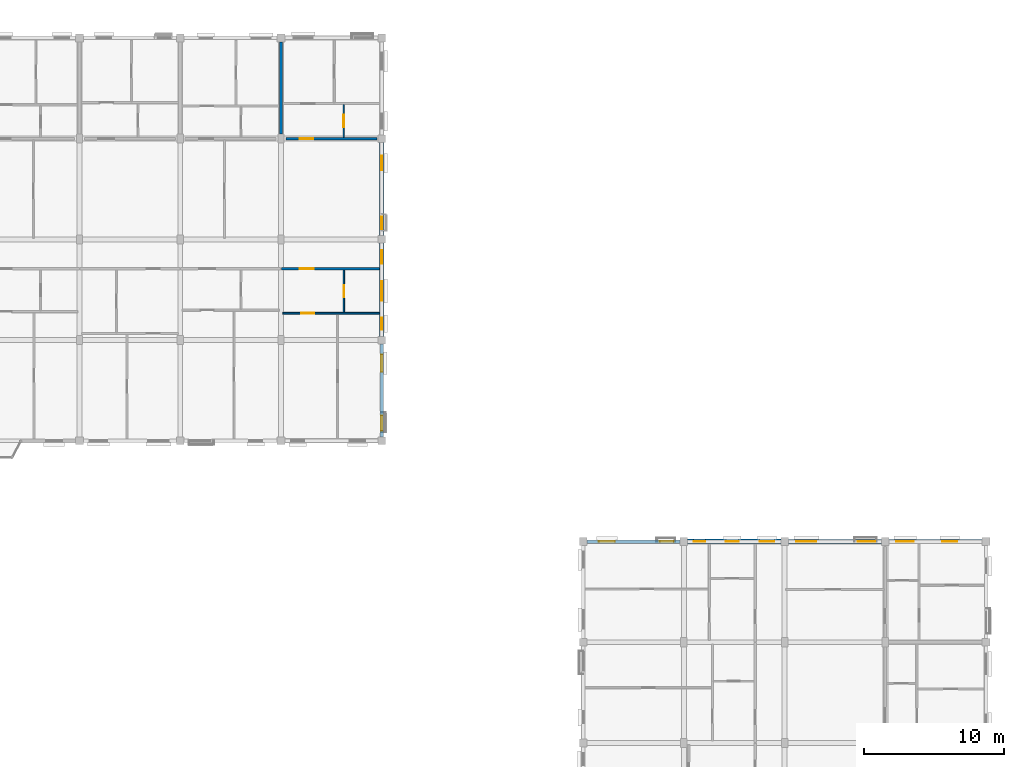
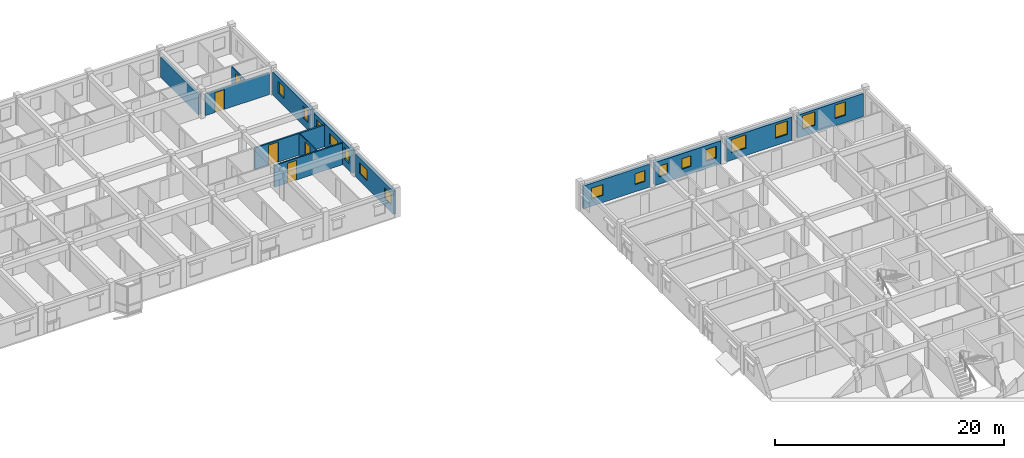
# One storey, part 66 of 75: 16 windows, 13 walls, 5 doors, 21 openings.
"""IFC4 building model written with IfcOpenShell, lengths in metres."""

from ifc_helpers import new_model, si_unit, direction, frame, frame_2d, origin, place, context, subcontext, project, spatial, rectangle, extrude, material, layer, layer_set, type_object, element, fill, save


model = new_model("IFC4")

# Units and contexts
model_context = context("Model", 3, precision=1e-05, world=origin(), true_north=direction((0.0, 1.0)))
body_context = subcontext(model_context, "Body", "Model", "MODEL_VIEW")
ifc_project = project(units=[si_unit("LENGTHUNIT", "METRE"), si_unit("AREAUNIT", "SQUARE_METRE"), si_unit("VOLUMEUNIT", "CUBIC_METRE"), si_unit("PLANEANGLEUNIT", "RADIAN"), si_unit("MASSUNIT", "GRAM", prefix="KILO"), si_unit("THERMODYNAMICTEMPERATUREUNIT", "KELVIN"), si_unit("POWERUNIT", "WATT")], contexts=[model_context])

# Site, building, storey
site_placement = place(None, origin())
site = spatial("IfcSite", under=ifc_project, at=site_placement, CompositionType="ELEMENT")
building_placement = place(site_placement, origin())
building = spatial("IfcBuilding", under=site, at=building_placement, Name="Tavuni Mirador Residences", CompositionType="ELEMENT")
storey_placement = place(building_placement, frame((0.0, 0.0, 20.25)))
storey = spatial("IfcBuildingStorey", under=building, at=storey_placement, Name="L06", CompositionType="ELEMENT", Elevation=20.25)

# Wall, opening, door
ifc_material_1 = material(Name="Precast concrete C40/50", Category="concrete")
ifc_layer_1 = layer(ifc_material_1, 0.1650390625, Name="Precast concrete C40/50", Category="concrete")
ifc_layer_set_1 = layer_set([ifc_layer_1], Name="Precast concrete C40/50")
wall_type_1 = type_object("IfcWallType", Name="WT-CORR165", PredefinedType="PARTITIONING", material=ifc_layer_set_1)
wall_1_placement = place(storey_placement, frame((68.419921875, 156.300048828125, 0.0), z_axis=(0.0, 0.0, 1.0), x_axis=(1.0, 0.0, 0.0)))
wall_1 = element("IfcWall", 1, at=wall_1_placement, inside=storey, type_object=wall_type_1, Name="CORW-BLK-C-L06-0-08", PredefinedType="PARTITIONING", context=body_context, shape_type="SweptSolid", body=[
    extrude(rectangle(XDim=7.005126953125, YDim=0.1650390625, at=frame_2d((3.50244140625, 0.0))), origin(), (0.0, 0.0, 1.0), 2.320068359375),
])
opening_1_placement = place(wall_1_placement, frame((1.330078125, 0.0, 0.0)))
opening_1 = element("IfcOpeningElement", 2, at=opening_1_placement, cuts=wall_1, Name="Opening D-03", PredefinedType="OPENING", context=body_context, shape_type="SweptSolid", body=[
    extrude(rectangle(XDim=1.0, YDim=2.14990234375, at=frame_2d((0.5, 1.074951171875))), frame((0.0, 0.092529296875, 0.0), z_axis=(0.0, -1.0, 0.0), x_axis=(1.0, 0.0, 0.0)), (0.0, 0.0, 1.0), 0.18505859375),
])
ifc_material_2 = material(Name="Solid core iroko timber", Category="wood")
door_type_1 = type_object("IfcDoorType", Name="DT-FD60-1000", OperationType="NOTDEFINED", PredefinedType="DOOR", material=ifc_material_2)
door_1_placement = place(opening_1_placement, origin())
door_1 = element("IfcDoor", 3, at=door_1_placement, inside=storey, type_object=door_type_1, Name="DR-2715", OperationType="SINGLE_SWING_RIGHT", OverallHeight=2.14990234375, OverallWidth=1.0, PredefinedType="DOOR", context=body_context, shape_type="SweptSolid", body=[
    extrude(rectangle(XDim=1.0, YDim=2.14990234375, at=frame_2d((0.5, 1.074951171875))), frame((0.0, 0.02490234375, 0.0), z_axis=(0.0, -1.0, 0.0), x_axis=(1.0, 0.0, 0.0)), (0.0, 0.0, 1.0), 0.050048828125),
])
fill(opening_1, door_1)

wall_2_placement = place(storey_placement, frame((68.75, 165.60009765625, 0.0), z_axis=(0.0, 0.0, 1.0), x_axis=(1.0, 0.0, 0.0)))
wall_2 = element("IfcWall", 4, at=wall_2_placement, inside=storey, type_object=wall_type_1, Name="CORW-BLK-C-L06-1-08", PredefinedType="PARTITIONING", context=body_context, shape_type="SweptSolid", body=[
    extrude(rectangle(XDim=6.5, YDim=0.1650390625, at=frame_2d((3.25, 0.0))), origin(), (0.0, 0.0, 1.0), 2.320068359375),
])
opening_2_placement = place(wall_2_placement, frame((1.0, 0.0, 0.0)))
opening_2 = element("IfcOpeningElement", 5, at=opening_2_placement, cuts=wall_2, Name="Opening D-19", PredefinedType="OPENING", context=body_context, shape_type="SweptSolid", body=[
    extrude(rectangle(XDim=0.93994140625, YDim=2.1201171875, at=frame_2d((0.469970703125, 1.06005859375))), frame((0.0, 0.092529296875, 0.0), z_axis=(0.0, -1.0, 0.0), x_axis=(1.0, 0.0, 0.0)), (0.0, 0.0, 1.0), 0.18505859375),
])
door_type_2 = type_object("IfcDoorType", Name="DT-FD60-940", OperationType="NOTDEFINED", PredefinedType="DOOR", material=ifc_material_2)
door_2_placement = place(opening_2_placement, origin())
door_2 = element("IfcDoor", 6, at=door_2_placement, inside=storey, type_object=door_type_2, Name="DR-2722", OperationType="SINGLE_SWING_LEFT", OverallHeight=2.1201171875, OverallWidth=0.93994140625, PredefinedType="DOOR", context=body_context, shape_type="SweptSolid", body=[
    extrude(rectangle(XDim=0.93994140625, YDim=2.1201171875, at=frame_2d((0.469970703125, 1.06005859375))), frame((0.0, 0.02490234375, 0.0), z_axis=(0.0, -1.0, 0.0), x_axis=(1.0, 0.0, 0.0)), (0.0, 0.0, 1.0), 0.050048828125),
])
fill(opening_2, door_2)

# Wall, openings, windows
ifc_layer_2 = layer(ifc_material_1, 0.330078125, Name="Precast concrete C40/50", Category="concrete")
ifc_layer_set_2 = layer_set([ifc_layer_2], Name="Precast concrete C40/50")
wall_type_2 = type_object("IfcWallType", Name="WT-EXT-COR330", PredefinedType="SOLIDWALL", material=ifc_layer_set_2)
wall_3_placement = place(storey_placement, frame((75.60009765625, 151.47509765625, 0.0), z_axis=(0.0, 0.0, 1.0), x_axis=(0.0, 1.0, 0.0)))
wall_3 = element("IfcWall", 7, at=wall_3_placement, inside=storey, type_object=wall_type_2, Name="EW-BLK-C-L06-E01", PredefinedType="SOLIDWALL", context=body_context, shape_type="SweptSolid", body=[
    extrude(rectangle(XDim=6.64990234375, YDim=0.330078125, at=frame_2d((3.324951171875, 0.0))), origin(), (0.0, 0.0, 1.0), 2.455078125),
])
opening_3_placement = place(wall_3_placement, frame((0.452392578125, 0.0, 0.780029296875)))
opening_3 = element("IfcOpeningElement", 8, at=opening_3_placement, cuts=wall_3, Name="Opening WN-09", PredefinedType="OPENING", context=body_context, shape_type="SweptSolid", body=[
    extrude(rectangle(XDim=0.8798828125, YDim=1.260009765625, at=frame_2d((0.43994140625, 0.6298828125))), frame((0.0, 0.175048828125, 0.0), z_axis=(0.0, -1.0, 0.0), x_axis=(1.0, 0.0, 0.0)), (0.0, 0.0, 1.0), 0.35009765625),
])
opening_4_placement = place(wall_3_placement, frame((2.534912109375, 0.0, 0.780029296875)))
opening_4 = element("IfcOpeningElement", 9, at=opening_4_placement, cuts=wall_3, Name="Opening WN-08", PredefinedType="OPENING", context=body_context, shape_type="SweptSolid", body=[
    extrude(rectangle(XDim=1.39990234375, YDim=1.14990234375, at=frame_2d((0.699951171875, 0.574951171875))), frame((0.0, 0.175048828125, 0.0), z_axis=(0.0, -1.0, 0.0), x_axis=(1.0, 0.0, 0.0)), (0.0, 0.0, 1.0), 0.35009765625),
])
opening_5_placement = place(wall_3_placement, frame((5.1875, 0.0, 0.780029296875)))
opening_5 = element("IfcOpeningElement", 10, at=opening_5_placement, cuts=wall_3, Name="Opening WN-10", PredefinedType="OPENING", context=body_context, shape_type="SweptSolid", body=[
    extrude(rectangle(XDim=0.9599609375, YDim=1.260009765625, at=frame_2d((0.47998046875, 0.6298828125))), frame((0.0, 0.175048828125, 0.0), z_axis=(0.0, -1.0, 0.0), x_axis=(1.0, 0.0, 0.0)), (0.0, 0.0, 1.0), 0.35009765625),
])
ifc_material_3 = material(Name="Laminated solar-control glass", Category="glass")
window_type_1 = type_object("IfcWindowType", Name="WNT-08", PartitioningType="SINGLE_PANEL", PredefinedType="WINDOW", material=ifc_material_3)
window_1_placement = place(opening_4_placement, origin())
window_1 = element("IfcWindow", 11, at=window_1_placement, inside=storey, type_object=window_type_1, Name="WIN-1110", OverallHeight=1.14990234375, OverallWidth=1.39990234375, PartitioningType="SINGLE_PANEL", PredefinedType="WINDOW", context=body_context, shape_type="SweptSolid", body=[
    extrude(rectangle(XDim=1.39990234375, YDim=1.14990234375, at=frame_2d((0.699951171875, 0.574951171875))), frame((0.0, 0.030029296875, 0.0), z_axis=(0.0, -1.0, 0.0), x_axis=(1.0, 0.0, 0.0)), (0.0, 0.0, 1.0), 0.06005859375),
])
fill(opening_4, window_1)
window_type_2 = type_object("IfcWindowType", Name="WNT-09", PartitioningType="SINGLE_PANEL", PredefinedType="WINDOW", material=ifc_material_3)
window_2_placement = place(opening_3_placement, origin())
window_2 = element("IfcWindow", 12, at=window_2_placement, inside=storey, type_object=window_type_2, Name="WIN-1109", OverallHeight=1.260009765625, OverallWidth=0.8798828125, PartitioningType="SINGLE_PANEL", PredefinedType="WINDOW", context=body_context, shape_type="SweptSolid", body=[
    extrude(rectangle(XDim=0.8798828125, YDim=1.260009765625, at=frame_2d((0.43994140625, 0.6298828125))), frame((0.0, 0.030029296875, 0.0), z_axis=(0.0, -1.0, 0.0), x_axis=(1.0, 0.0, 0.0)), (0.0, 0.0, 1.0), 0.06005859375),
])
fill(opening_3, window_2)
window_type_3 = type_object("IfcWindowType", Name="WNT-10", PartitioningType="SINGLE_PANEL", PredefinedType="WINDOW", material=ifc_material_3)
window_3_placement = place(opening_5_placement, origin())
window_3 = element("IfcWindow", 13, at=window_3_placement, inside=storey, type_object=window_type_3, Name="WIN-1111", OverallHeight=1.260009765625, OverallWidth=0.9599609375, PartitioningType="SINGLE_PANEL", PredefinedType="WINDOW", context=body_context, shape_type="SweptSolid", body=[
    extrude(rectangle(XDim=0.9599609375, YDim=1.260009765625, at=frame_2d((0.47998046875, 0.6298828125))), frame((0.0, 0.030029296875, 0.0), z_axis=(0.0, -1.0, 0.0), x_axis=(1.0, 0.0, 0.0)), (0.0, 0.0, 1.0), 0.06005859375),
])
fill(opening_5, window_3)

wall_4_placement = place(storey_placement, frame((104.125, 136.800048828125, 0.0), z_axis=(0.0, 0.0, 1.0), x_axis=(-1.0, 0.0, 0.0)))
wall_4 = element("IfcWall", 14, at=wall_4_placement, inside=storey, type_object=wall_type_2, Name="EW-BLK-D-L06-N01", PredefinedType="SOLIDWALL", context=body_context, shape_type="SweptSolid", body=[
    extrude(rectangle(XDim=6.64990234375, YDim=0.330078125, at=frame_2d((3.324951171875, 0.0))), origin(), (0.0, 0.0, 1.0), 2.4599609375),
])
opening_6_placement = place(wall_4_placement, frame((0.46240234375, 0.0, 0.780029296875)))
opening_6 = element("IfcOpeningElement", 15, at=opening_6_placement, cuts=wall_4, Name="Opening WN-11", PredefinedType="OPENING", context=body_context, shape_type="SweptSolid", body=[
    extrude(rectangle(XDim=1.0400390625, YDim=1.260009765625, at=frame_2d((0.52001953125, 0.6298828125))), frame((0.0, 0.175048828125, 0.0), z_axis=(0.0, -1.0, 0.0), x_axis=(1.0, 0.0, 0.0)), (0.0, 0.0, 1.0), 0.35009765625),
])
opening_7_placement = place(wall_4_placement, frame((3.0048828125, 0.0, 0.780029296875)))
opening_7 = element("IfcOpeningElement", 16, at=opening_7_placement, cuts=wall_4, Name="Opening WN-02", PredefinedType="OPENING", context=body_context, shape_type="SweptSolid", body=[
    extrude(rectangle(XDim=0.919921875, YDim=1.14990234375, at=frame_2d((0.4599609375, 0.574951171875))), frame((0.0, 0.175048828125, 0.0), z_axis=(0.0, -1.0, 0.0), x_axis=(1.0, 0.0, 0.0)), (0.0, 0.0, 1.0), 0.35009765625),
])
opening_8_placement = place(wall_4_placement, frame((5.382568359375, 0.0, 0.780029296875)))
opening_8 = element("IfcOpeningElement", 17, at=opening_8_placement, cuts=wall_4, Name="Opening WN-01", PredefinedType="OPENING", context=body_context, shape_type="SweptSolid", body=[
    extrude(rectangle(XDim=0.85009765625, YDim=1.14990234375, at=frame_2d((0.425048828125, 0.574951171875))), frame((0.0, 0.175048828125, 0.0), z_axis=(0.0, -1.0, 0.0), x_axis=(1.0, 0.0, 0.0)), (0.0, 0.0, 1.0), 0.35009765625),
])
window_type_4 = type_object("IfcWindowType", Name="WNT-01", PartitioningType="SINGLE_PANEL", PredefinedType="WINDOW", material=ifc_material_3)
window_4_placement = place(opening_8_placement, origin())
window_4 = element("IfcWindow", 18, at=window_4_placement, inside=storey, type_object=window_type_4, Name="WIN-1675", OverallHeight=1.14990234375, OverallWidth=0.85009765625, PartitioningType="SINGLE_PANEL", PredefinedType="WINDOW", context=body_context, shape_type="SweptSolid", body=[
    extrude(rectangle(XDim=0.85009765625, YDim=1.14990234375, at=frame_2d((0.425048828125, 0.574951171875))), frame((0.0, 0.030029296875, 0.0), z_axis=(0.0, -1.0, 0.0), x_axis=(1.0, 0.0, 0.0)), (0.0, 0.0, 1.0), 0.06005859375),
])
fill(opening_8, window_4)
window_type_5 = type_object("IfcWindowType", Name="WNT-02", PartitioningType="SINGLE_PANEL", PredefinedType="WINDOW", material=ifc_material_3)
window_5_placement = place(opening_7_placement, origin())
window_5 = element("IfcWindow", 19, at=window_5_placement, inside=storey, type_object=window_type_5, Name="WIN-1674", OverallHeight=1.14990234375, OverallWidth=0.919921875, PartitioningType="SINGLE_PANEL", PredefinedType="WINDOW", context=body_context, shape_type="SweptSolid", body=[
    extrude(rectangle(XDim=0.919921875, YDim=1.14990234375, at=frame_2d((0.4599609375, 0.574951171875))), frame((0.0, 0.030029296875, 0.0), z_axis=(0.0, -1.0, 0.0), x_axis=(1.0, 0.0, 0.0)), (0.0, 0.0, 1.0), 0.06005859375),
])
fill(opening_7, window_5)
window_type_6 = type_object("IfcWindowType", Name="WNT-11", PartitioningType="SINGLE_PANEL", PredefinedType="WINDOW", material=ifc_material_3)
window_6_placement = place(opening_6_placement, origin())
window_6 = element("IfcWindow", 20, at=window_6_placement, inside=storey, type_object=window_type_6, Name="WIN-1673", OverallHeight=1.260009765625, OverallWidth=1.0400390625, PartitioningType="SINGLE_PANEL", PredefinedType="WINDOW", context=body_context, shape_type="SweptSolid", body=[
    extrude(rectangle(XDim=1.0400390625, YDim=1.260009765625, at=frame_2d((0.52001953125, 0.6298828125))), frame((0.0, 0.030029296875, 0.0), z_axis=(0.0, -1.0, 0.0), x_axis=(1.0, 0.0, 0.0)), (0.0, 0.0, 1.0), 0.06005859375),
])
fill(opening_6, window_6)

ifc_material_4 = material(Name="Sgraffito lime-rendered precast concrete C40/50", Category="concrete")
ifc_layer_3 = layer(ifc_material_4, 0.2451171875, Name="Sgraffito lime-rendered precast concrete C40/50", Category="concrete")
ifc_layer_set_3 = layer_set([ifc_layer_3], Name="Sgraffito lime-rendered precast concrete C40/50")
wall_type_3 = type_object("IfcWallType", Name="WT-EXT-PC245", PredefinedType="SOLIDWALL", material=ifc_layer_set_3)
wall_5_placement = place(storey_placement, frame((75.60009765625, 144.27490234375, 0.0), z_axis=(0.0, 0.0, 1.0), x_axis=(0.0, 1.0, 0.0)))
wall_5 = element("IfcWall", 21, at=wall_5_placement, inside=storey, type_object=wall_type_3, Name="EW-BLK-C-L06-E00", PredefinedType="SOLIDWALL", context=body_context, shape_type="SweptSolid", body=[
    extrude(rectangle(XDim=6.650146484375, YDim=0.2451171875, at=frame_2d((3.3251953125, 0.0))), origin(), (0.0, 0.0, 1.0), 2.455078125),
])
opening_9_placement = place(wall_5_placement, frame((0.449951171875, 0.0, 0.780029296875)))
opening_9 = element("IfcOpeningElement", 22, at=opening_9_placement, cuts=wall_5, Name="Opening WN-04", PredefinedType="OPENING", context=body_context, shape_type="SweptSolid", body=[
    extrude(rectangle(XDim=1.080078125, YDim=1.14990234375, at=frame_2d((0.5400390625, 0.574951171875))), frame((0.0, 0.132568359375, 0.0), z_axis=(0.0, -1.0, 0.0), x_axis=(1.0, 0.0, 0.0)), (0.0, 0.0, 1.0), 0.26513671875),
])
opening_10_placement = place(wall_5_placement, frame((4.64990234375, 0.0, 0.780029296875)))
opening_10 = element("IfcOpeningElement", 23, at=opening_10_placement, cuts=wall_5, Name="Opening WN-06", PredefinedType="OPENING", context=body_context, shape_type="SweptSolid", body=[
    extrude(rectangle(XDim=1.239990234375, YDim=1.14990234375, at=frame_2d((0.6201171875, 0.574951171875))), frame((0.0, 0.132568359375, 0.0), z_axis=(0.0, -1.0, 0.0), x_axis=(1.0, 0.0, 0.0)), (0.0, 0.0, 1.0), 0.26513671875),
])
window_type_7 = type_object("IfcWindowType", Name="WNT-04", PartitioningType="SINGLE_PANEL", PredefinedType="WINDOW", material=ifc_material_3)
window_7_placement = place(opening_9_placement, origin())
window_7 = element("IfcWindow", 24, at=window_7_placement, inside=storey, type_object=window_type_7, Name="WIN-1107", OverallHeight=1.14990234375, OverallWidth=1.080078125, PartitioningType="SINGLE_PANEL", PredefinedType="WINDOW", context=body_context, shape_type="SweptSolid", body=[
    extrude(rectangle(XDim=1.080078125, YDim=1.14990234375, at=frame_2d((0.5400390625, 0.574951171875))), frame((0.0, 0.030029296875, 0.0), z_axis=(0.0, -1.0, 0.0), x_axis=(1.0, 0.0, 0.0)), (0.0, 0.0, 1.0), 0.06005859375),
])
fill(opening_9, window_7)
window_type_8 = type_object("IfcWindowType", Name="WNT-06", PartitioningType="SINGLE_PANEL", PredefinedType="WINDOW", material=ifc_material_3)
window_8_placement = place(opening_10_placement, origin())
window_8 = element("IfcWindow", 25, at=window_8_placement, inside=storey, type_object=window_type_8, Name="WIN-1108", OverallHeight=1.14990234375, OverallWidth=1.239990234375, PartitioningType="SINGLE_PANEL", PredefinedType="WINDOW", context=body_context, shape_type="SweptSolid", body=[
    extrude(rectangle(XDim=1.239990234375, YDim=1.14990234375, at=frame_2d((0.6201171875, 0.574951171875))), frame((0.0, 0.030029296875, 0.0), z_axis=(0.0, -1.0, 0.0), x_axis=(1.0, 0.0, 0.0)), (0.0, 0.0, 1.0), 0.06005859375),
])
fill(opening_10, window_8)

wall_6_placement = place(storey_placement, frame((96.925048828125, 136.800048828125, 0.0), z_axis=(0.0, 0.0, 1.0), x_axis=(-1.0, 0.0, 0.0)))
wall_6 = element("IfcWall", 26, at=wall_6_placement, inside=storey, type_object=wall_type_3, Name="EW-BLK-D-L06-N00", PredefinedType="SOLIDWALL", context=body_context, shape_type="SweptSolid", body=[
    extrude(rectangle(XDim=6.650146484375, YDim=0.2451171875, at=frame_2d((3.3251953125, 0.0))), origin(), (0.0, 0.0, 1.0), 2.4599609375),
])
opening_11_placement = place(wall_6_placement, frame((0.449951171875, 0.0, 0.780029296875)))
opening_11 = element("IfcOpeningElement", 27, at=opening_11_placement, cuts=wall_6, Name="Opening WN-03", PredefinedType="OPENING", context=body_context, shape_type="SweptSolid", body=[
    extrude(rectangle(XDim=1.0, YDim=1.14990234375, at=frame_2d((0.5, 0.574951171875))), frame((0.0, 0.132568359375, 0.0), z_axis=(0.0, -1.0, 0.0), x_axis=(1.0, 0.0, 0.0)), (0.0, 0.0, 1.0), 0.26513671875),
])
opening_12_placement = place(wall_6_placement, frame((4.64990234375, 0.0, 0.780029296875)))
opening_12 = element("IfcOpeningElement", 28, at=opening_12_placement, cuts=wall_6, Name="Opening WN-05", PredefinedType="OPENING", context=body_context, shape_type="SweptSolid", body=[
    extrude(rectangle(XDim=1.159912109375, YDim=1.14990234375, at=frame_2d((0.580078125, 0.574951171875))), frame((0.0, 0.132568359375, 0.0), z_axis=(0.0, -1.0, 0.0), x_axis=(1.0, 0.0, 0.0)), (0.0, 0.0, 1.0), 0.26513671875),
])
window_type_9 = type_object("IfcWindowType", Name="WNT-03", PartitioningType="SINGLE_PANEL", PredefinedType="WINDOW", material=ifc_material_3)
window_9_placement = place(opening_11_placement, origin())
window_9 = element("IfcWindow", 29, at=window_9_placement, inside=storey, type_object=window_type_9, Name="WIN-1676", OverallHeight=1.14990234375, OverallWidth=1.0, PartitioningType="SINGLE_PANEL", PredefinedType="WINDOW", context=body_context, shape_type="SweptSolid", body=[
    extrude(rectangle(XDim=1.0, YDim=1.14990234375, at=frame_2d((0.5, 0.574951171875))), frame((0.0, 0.030029296875, 0.0), z_axis=(0.0, -1.0, 0.0), x_axis=(1.0, 0.0, 0.0)), (0.0, 0.0, 1.0), 0.06005859375),
])
fill(opening_11, window_9)
window_type_10 = type_object("IfcWindowType", Name="WNT-05", PartitioningType="SINGLE_PANEL", PredefinedType="WINDOW", material=ifc_material_3)
window_10_placement = place(opening_12_placement, origin())
window_10 = element("IfcWindow", 30, at=window_10_placement, inside=storey, type_object=window_type_10, Name="WIN-1677", OverallHeight=1.14990234375, OverallWidth=1.159912109375, PartitioningType="SINGLE_PANEL", PredefinedType="WINDOW", context=body_context, shape_type="SweptSolid", body=[
    extrude(rectangle(XDim=1.159912109375, YDim=1.14990234375, at=frame_2d((0.580078125, 0.574951171875))), frame((0.0, 0.030029296875, 0.0), z_axis=(0.0, -1.0, 0.0), x_axis=(1.0, 0.0, 0.0)), (0.0, 0.0, 1.0), 0.06005859375),
])
fill(opening_12, window_10)

ifc_layer_4 = layer(ifc_material_4, 0.304931640625, Name="Sgraffito lime-rendered precast concrete C40/50", Category="concrete")
ifc_layer_set_4 = layer_set([ifc_layer_4], Name="Sgraffito lime-rendered precast concrete C40/50")
wall_type_4 = type_object("IfcWallType", Name="WT-EXT-PC305", PredefinedType="SOLIDWALL", material=ifc_layer_set_4)
wall_7_placement = place(storey_placement, frame((118.52490234375, 136.800048828125, 0.0), z_axis=(0.0, 0.0, 1.0), x_axis=(-1.0, 0.0, 0.0)))
wall_7 = element("IfcWall", 31, at=wall_7_placement, inside=storey, type_object=wall_type_4, Name="EW-BLK-D-L06-N03", PredefinedType="SOLIDWALL", context=body_context, shape_type="SweptSolid", body=[
    extrude(rectangle(XDim=6.64990234375, YDim=0.304931640625, at=frame_2d((3.324951171875, 0.0))), origin(), (0.0, 0.0, 1.0), 2.4599609375),
])
opening_13_placement = place(wall_7_placement, frame((1.797607421875, 0.0, 0.780029296875)))
opening_13 = element("IfcOpeningElement", 32, at=opening_13_placement, cuts=wall_7, Name="Opening WN-26", PredefinedType="OPENING", context=body_context, shape_type="SweptSolid", body=[
    extrude(rectangle(XDim=1.050048828125, YDim=1.43994140625, at=frame_2d((0.52490234375, 0.719970703125))), frame((0.0, 0.16259765625, 0.0), z_axis=(0.0, -1.0, 0.0), x_axis=(1.0, 0.0, 0.0)), (0.0, 0.0, 1.0), 0.324951171875),
])
opening_14_placement = place(wall_7_placement, frame((4.882568359375, 0.0, 0.780029296875)))
opening_14 = element("IfcOpeningElement", 33, at=opening_14_placement, cuts=wall_7, Name="Opening WN-28", PredefinedType="OPENING", context=body_context, shape_type="SweptSolid", body=[
    extrude(rectangle(XDim=1.25, YDim=1.43994140625, at=frame_2d((0.625, 0.719970703125))), frame((0.0, 0.16259765625, 0.0), z_axis=(0.0, -1.0, 0.0), x_axis=(1.0, 0.0, 0.0)), (0.0, 0.0, 1.0), 0.324951171875),
])
window_type_11 = type_object("IfcWindowType", Name="WNT-26", PartitioningType="SINGLE_PANEL", PredefinedType="WINDOW", material=ifc_material_3)
window_11_placement = place(opening_13_placement, origin())
window_11 = element("IfcWindow", 34, at=window_11_placement, inside=storey, type_object=window_type_11, Name="WIN-1669", OverallHeight=1.43994140625, OverallWidth=1.050048828125, PartitioningType="SINGLE_PANEL", PredefinedType="WINDOW", context=body_context, shape_type="SweptSolid", body=[
    extrude(rectangle(XDim=1.050048828125, YDim=1.43994140625, at=frame_2d((0.52490234375, 0.719970703125))), frame((0.0, 0.030029296875, 0.0), z_axis=(0.0, -1.0, 0.0), x_axis=(1.0, 0.0, 0.0)), (0.0, 0.0, 1.0), 0.06005859375),
])
fill(opening_13, window_11)
window_type_12 = type_object("IfcWindowType", Name="WNT-28", PartitioningType="SINGLE_PANEL", PredefinedType="WINDOW", material=ifc_material_3)
window_12_placement = place(opening_14_placement, origin())
window_12 = element("IfcWindow", 35, at=window_12_placement, inside=storey, type_object=window_type_12, Name="WIN-1670", OverallHeight=1.43994140625, OverallWidth=1.25, PartitioningType="SINGLE_PANEL", PredefinedType="WINDOW", context=body_context, shape_type="SweptSolid", body=[
    extrude(rectangle(XDim=1.25, YDim=1.43994140625, at=frame_2d((0.625, 0.719970703125))), frame((0.0, 0.030029296875, 0.0), z_axis=(0.0, -1.0, 0.0), x_axis=(1.0, 0.0, 0.0)), (0.0, 0.0, 1.0), 0.06005859375),
])
fill(opening_14, window_12)

ifc_layer_5 = layer(ifc_material_4, 0.31494140625, Name="Sgraffito lime-rendered precast concrete C40/50", Category="concrete")
ifc_layer_set_5 = layer_set([ifc_layer_5], Name="Sgraffito lime-rendered precast concrete C40/50")
wall_type_5 = type_object("IfcWallType", Name="WT-EXT-PC315", PredefinedType="SOLIDWALL", material=ifc_layer_set_5)
wall_8_placement = place(storey_placement, frame((75.60009765625, 158.675048828125, 0.0), z_axis=(0.0, 0.0, 1.0), x_axis=(0.0, 1.0, 0.0)))
wall_8 = element("IfcWall", 36, at=wall_8_placement, inside=storey, type_object=wall_type_5, Name="EW-BLK-C-L06-E02", PredefinedType="SOLIDWALL", context=body_context, shape_type="SweptSolid", body=[
    extrude(rectangle(XDim=6.64990234375, YDim=0.31494140625, at=frame_2d((3.324951171875, 0.0))), origin(), (0.0, 0.0, 1.0), 2.455078125),
])
opening_15_placement = place(wall_8_placement, frame((0.449951171875, 0.0, 0.780029296875)))
opening_15 = element("IfcOpeningElement", 37, at=opening_15_placement, cuts=wall_8, Name="Opening WN-09", PredefinedType="OPENING", context=body_context, shape_type="SweptSolid", body=[
    extrude(rectangle(XDim=0.8798828125, YDim=1.260009765625, at=frame_2d((0.43994140625, 0.6298828125))), frame((0.0, 0.16748046875, 0.0), z_axis=(0.0, -1.0, 0.0), x_axis=(1.0, 0.0, 0.0)), (0.0, 0.0, 1.0), 0.3349609375),
])
opening_16_placement = place(wall_8_placement, frame((4.64990234375, 0.0, 0.780029296875)))
opening_16 = element("IfcOpeningElement", 38, at=opening_16_placement, cuts=wall_8, Name="Opening WN-11", PredefinedType="OPENING", context=body_context, shape_type="SweptSolid", body=[
    extrude(rectangle(XDim=1.0400390625, YDim=1.260009765625, at=frame_2d((0.52001953125, 0.6298828125))), frame((0.0, 0.16748046875, 0.0), z_axis=(0.0, -1.0, 0.0), x_axis=(1.0, 0.0, 0.0)), (0.0, 0.0, 1.0), 0.3349609375),
])
window_13_placement = place(opening_15_placement, origin())
window_13 = element("IfcWindow", 39, at=window_13_placement, inside=storey, type_object=window_type_2, Name="WIN-1112", OverallHeight=1.260009765625, OverallWidth=0.8798828125, PartitioningType="SINGLE_PANEL", PredefinedType="WINDOW", context=body_context, shape_type="SweptSolid", body=[
    extrude(rectangle(XDim=0.8798828125, YDim=1.260009765625, at=frame_2d((0.43994140625, 0.6298828125))), frame((0.0, 0.030029296875, 0.0), z_axis=(0.0, -1.0, 0.0), x_axis=(1.0, 0.0, 0.0)), (0.0, 0.0, 1.0), 0.06005859375),
])
fill(opening_15, window_13)
window_14_placement = place(opening_16_placement, origin())
window_14 = element("IfcWindow", 40, at=window_14_placement, inside=storey, type_object=window_type_6, Name="WIN-1113", OverallHeight=1.260009765625, OverallWidth=1.0400390625, PartitioningType="SINGLE_PANEL", PredefinedType="WINDOW", context=body_context, shape_type="SweptSolid", body=[
    extrude(rectangle(XDim=1.0400390625, YDim=1.260009765625, at=frame_2d((0.52001953125, 0.6298828125))), frame((0.0, 0.030029296875, 0.0), z_axis=(0.0, -1.0, 0.0), x_axis=(1.0, 0.0, 0.0)), (0.0, 0.0, 1.0), 0.06005859375),
])
fill(opening_16, window_14)

wall_9_placement = place(storey_placement, frame((111.324951171875, 136.800048828125, 0.0), z_axis=(0.0, 0.0, 1.0), x_axis=(-1.0, 0.0, 0.0)))
wall_9 = element("IfcWall", 41, at=wall_9_placement, inside=storey, type_object=wall_type_5, Name="EW-BLK-D-L06-N02", PredefinedType="SOLIDWALL", context=body_context, shape_type="SweptSolid", body=[
    extrude(rectangle(XDim=6.64990234375, YDim=0.31494140625, at=frame_2d((3.324951171875, 0.0))), origin(), (0.0, 0.0, 1.0), 2.4599609375),
])
opening_17_placement = place(wall_9_placement, frame((0.449951171875, 0.0, 0.780029296875)))
opening_17 = element("IfcOpeningElement", 42, at=opening_17_placement, cuts=wall_9, Name="Opening WN-28", PredefinedType="OPENING", context=body_context, shape_type="SweptSolid", body=[
    extrude(rectangle(XDim=1.25, YDim=1.43994140625, at=frame_2d((0.625, 0.719970703125))), frame((0.0, 0.16748046875, 0.0), z_axis=(0.0, -1.0, 0.0), x_axis=(1.0, 0.0, 0.0)), (0.0, 0.0, 1.0), 0.3349609375),
])
opening_18_placement = place(wall_9_placement, frame((4.64990234375, 0.0, 0.780029296875)))
opening_18 = element("IfcOpeningElement", 43, at=opening_18_placement, cuts=wall_9, Name="Opening WN-30", PredefinedType="OPENING", context=body_context, shape_type="SweptSolid", body=[
    extrude(rectangle(XDim=1.449951171875, YDim=1.43994140625, at=frame_2d((0.72509765625, 0.719970703125))), frame((0.0, 0.16748046875, 0.0), z_axis=(0.0, -1.0, 0.0), x_axis=(1.0, 0.0, 0.0)), (0.0, 0.0, 1.0), 0.3349609375),
])
window_15_placement = place(opening_17_placement, origin())
window_15 = element("IfcWindow", 44, at=window_15_placement, inside=storey, type_object=window_type_12, Name="WIN-1671", OverallHeight=1.43994140625, OverallWidth=1.25, PartitioningType="SINGLE_PANEL", PredefinedType="WINDOW", context=body_context, shape_type="SweptSolid", body=[
    extrude(rectangle(XDim=1.25, YDim=1.43994140625, at=frame_2d((0.625, 0.719970703125))), frame((0.0, 0.030029296875, 0.0), z_axis=(0.0, -1.0, 0.0), x_axis=(1.0, 0.0, 0.0)), (0.0, 0.0, 1.0), 0.06005859375),
])
fill(opening_17, window_15)
window_type_13 = type_object("IfcWindowType", Name="WNT-30", PartitioningType="SINGLE_PANEL", PredefinedType="WINDOW", material=ifc_material_3)
window_16_placement = place(opening_18_placement, origin())
window_16 = element("IfcWindow", 45, at=window_16_placement, inside=storey, type_object=window_type_13, Name="WIN-1672", OverallHeight=1.43994140625, OverallWidth=1.449951171875, PartitioningType="SINGLE_PANEL", PredefinedType="WINDOW", context=body_context, shape_type="SweptSolid", body=[
    extrude(rectangle(XDim=1.449951171875, YDim=1.43994140625, at=frame_2d((0.72509765625, 0.719970703125))), frame((0.0, 0.030029296875, 0.0), z_axis=(0.0, -1.0, 0.0), x_axis=(1.0, 0.0, 0.0)), (0.0, 0.0, 1.0), 0.06005859375),
])
fill(opening_18, window_16)

# Wall, opening, door
ifc_material_5 = material(Name="Acoustic gypsum and concrete block partition", Category="concrete")
ifc_layer_6 = layer(ifc_material_5, 0.094970703125, Name="Acoustic gypsum and concrete block partition", Category="concrete")
ifc_layer_set_6 = layer_set([ifc_layer_6], Name="Acoustic gypsum and concrete block partition")
wall_type_6 = type_object("IfcWallType", Name="WT-PART095", PredefinedType="PARTITIONING", material=ifc_layer_set_6)
wall_10_placement = place(storey_placement, frame((72.8798828125, 165.68994140625, 0.0), z_axis=(0.0, 0.0, 1.0), x_axis=(0.0, 1.0, 0.0)))
wall_10 = element("IfcWall", 46, at=wall_10_placement, inside=storey, type_object=wall_type_6, Name="PW-BLK-C-L06-N08-IN1", PredefinedType="PARTITIONING", context=body_context, shape_type="SweptSolid", body=[
    extrude(rectangle(XDim=2.340087890625, YDim=0.094970703125, at=frame_2d((1.169921875, 0.0))), origin(), (0.0, 0.0, 1.0), 2.320068359375),
])
opening_19_placement = place(wall_10_placement, frame((0.719970703125, 0.0, 0.0)))
opening_19 = element("IfcOpeningElement", 47, at=opening_19_placement, cuts=wall_10, Name="Opening D-09", PredefinedType="OPENING", context=body_context, shape_type="SweptSolid", body=[
    extrude(rectangle(XDim=0.89990234375, YDim=2.050048828125, at=frame_2d((0.449951171875, 1.02490234375))), frame((0.0, 0.0576171875, 0.0), z_axis=(0.0, -1.0, 0.0), x_axis=(1.0, 0.0, 0.0)), (0.0, 0.0, 1.0), 0.114990234375),
])
door_type_3 = type_object("IfcDoorType", Name="DT-WC900", OperationType="NOTDEFINED", PredefinedType="DOOR", material=ifc_material_2)
door_3_placement = place(opening_19_placement, origin())
door_3 = element("IfcDoor", 48, at=door_3_placement, inside=storey, type_object=door_type_3, Name="DR-4015", OperationType="SINGLE_SWING_LEFT", OverallHeight=2.050048828125, OverallWidth=0.89990234375, PredefinedType="DOOR", context=body_context, shape_type="SweptSolid", body=[
    extrude(rectangle(XDim=0.89990234375, YDim=2.050048828125, at=frame_2d((0.449951171875, 1.02490234375))), frame((0.0, 0.02490234375, 0.0), z_axis=(0.0, -1.0, 0.0), x_axis=(1.0, 0.0, 0.0)), (0.0, 0.0, 1.0), 0.050048828125),
])
fill(opening_19, door_3)

ifc_layer_7 = layer(ifc_material_5, 0.10498046875, Name="Acoustic gypsum and concrete block partition", Category="concrete")
ifc_layer_set_7 = layer_set([ifc_layer_7], Name="Acoustic gypsum and concrete block partition")
wall_type_7 = type_object("IfcWallType", Name="WT-PART105", PredefinedType="PARTITIONING", material=ifc_layer_set_7)
wall_11_placement = place(storey_placement, frame((72.89990234375, 153.18994140625, 0.0), z_axis=(0.0, 0.0, 1.0), x_axis=(0.0, 1.0, 0.0)))
wall_11 = element("IfcWall", 49, at=wall_11_placement, inside=storey, type_object=wall_type_7, Name="PW-BLK-C-L06-S08-IN1", PredefinedType="PARTITIONING", context=body_context, shape_type="SweptSolid", body=[
    extrude(rectangle(XDim=3.02001953125, YDim=0.10498046875, at=frame_2d((1.510009765625, 0.0))), origin(), (0.0, 0.0, 1.0), 2.320068359375),
])
opening_20_placement = place(wall_11_placement, frame((1.074951171875, 0.0, 0.0)))
opening_20 = element("IfcOpeningElement", 50, at=opening_20_placement, cuts=wall_11, Name="Opening D-10", PredefinedType="OPENING", context=body_context, shape_type="SweptSolid", body=[
    extrude(rectangle(XDim=0.8701171875, YDim=2.050048828125, at=frame_2d((0.43505859375, 1.02490234375))), frame((0.0, 0.0625, 0.0), z_axis=(0.0, -1.0, 0.0), x_axis=(1.0, 0.0, 0.0)), (0.0, 0.0, 1.0), 0.125),
])
door_type_4 = type_object("IfcDoorType", Name="DT-WC870", OperationType="NOTDEFINED", PredefinedType="DOOR", material=ifc_material_2)
door_4_placement = place(opening_20_placement, origin())
door_4 = element("IfcDoor", 51, at=door_4_placement, inside=storey, type_object=door_type_4, Name="DR-4012", OperationType="SINGLE_SWING_RIGHT", OverallHeight=2.050048828125, OverallWidth=0.8701171875, PredefinedType="DOOR", context=body_context, shape_type="SweptSolid", body=[
    extrude(rectangle(XDim=0.8701171875, YDim=2.050048828125, at=frame_2d((0.43505859375, 1.02490234375))), frame((0.0, 0.02490234375, 0.0), z_axis=(0.0, -1.0, 0.0), x_axis=(1.0, 0.0, 0.0)), (0.0, 0.0, 1.0), 0.050048828125),
])
fill(opening_20, door_4)

ifc_layer_8 = layer(ifc_material_5, 0.139892578125, Name="Acoustic gypsum and concrete block partition", Category="concrete")
ifc_layer_set_8 = layer_set([ifc_layer_8], Name="Acoustic gypsum and concrete block partition")
wall_type_8 = type_object("IfcWallType", Name="WT-PART140", PredefinedType="PARTITIONING", material=ifc_layer_set_8)
wall_12_placement = place(storey_placement, frame((68.5400390625, 153.1201171875, 0.0), z_axis=(0.0, 0.0, 1.0), x_axis=(1.0, 0.0, 0.0)))
wall_12 = element("IfcWall", 52, at=wall_12_placement, inside=storey, type_object=wall_type_8, Name="PW-BLK-C-L06-S08-MID", PredefinedType="PARTITIONING", context=body_context, shape_type="SweptSolid", body=[
    extrude(rectangle(XDim=6.885009765625, YDim=0.139892578125, at=frame_2d((3.4423828125, 0.0))), origin(), (0.0, 0.0, 1.0), 2.320068359375),
])
opening_21_placement = place(wall_12_placement, frame((1.31005859375, 0.0, 0.0)))
opening_21 = element("IfcOpeningElement", 53, at=opening_21_placement, cuts=wall_12, Name="Opening D-06", PredefinedType="OPENING", context=body_context, shape_type="SweptSolid", body=[
    extrude(rectangle(XDim=0.919921875, YDim=2.10009765625, at=frame_2d((0.4599609375, 1.050048828125))), frame((0.0, 0.080078125, 0.0), z_axis=(0.0, -1.0, 0.0), x_axis=(1.0, 0.0, 0.0)), (0.0, 0.0, 1.0), 0.159912109375),
])
door_type_5 = type_object("IfcDoorType", Name="DT-INT920", OperationType="NOTDEFINED", PredefinedType="DOOR", material=ifc_material_2)
door_5_placement = place(opening_21_placement, origin())
door_5 = element("IfcDoor", 54, at=door_5_placement, inside=storey, type_object=door_type_5, Name="DR-4013", OperationType="SINGLE_SWING_RIGHT", OverallHeight=2.10009765625, OverallWidth=0.919921875, PredefinedType="DOOR", context=body_context, shape_type="SweptSolid", body=[
    extrude(rectangle(XDim=0.919921875, YDim=2.10009765625, at=frame_2d((0.4599609375, 1.050048828125))), frame((0.0, 0.02490234375, 0.0), z_axis=(0.0, -1.0, 0.0), x_axis=(1.0, 0.0, 0.0)), (0.0, 0.0, 1.0), 0.050048828125),
])
fill(opening_21, door_5)

# Wall
ifc_layer_9 = layer(ifc_material_1, 0.235107421875, Name="Precast concrete C40/50", Category="concrete")
ifc_layer_set_9 = layer_set([ifc_layer_9], Name="Precast concrete C40/50")
wall_type_9 = type_object("IfcWallType", Name="WT-XW235", PredefinedType="SOLIDWALL", material=ifc_layer_set_9)
wall_13_placement = place(storey_placement, frame((68.39990234375, 165.925048828125, 0.0), z_axis=(0.0, 0.0, 1.0), x_axis=(0.0, 1.0, 0.0)))
element("IfcWall", 55, at=wall_13_placement, inside=storey, type_object=wall_type_9, Name="XW-BLK-C-L06-N-08", PredefinedType="SOLIDWALL", context=body_context, shape_type="SweptSolid", body=[
    extrude(rectangle(XDim=6.599853515625, YDim=0.235107421875, at=frame_2d((3.2998046875, 0.0))), origin(), (0.0, 0.0, 1.0), 2.18505859375),
])

save(model, "model.ifc")
